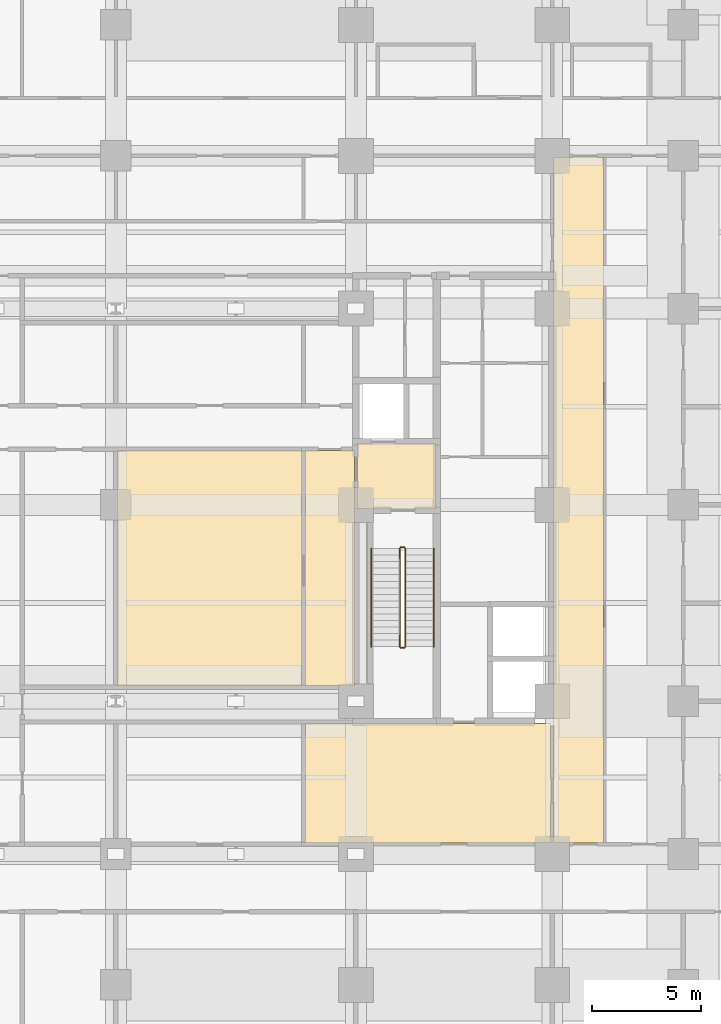
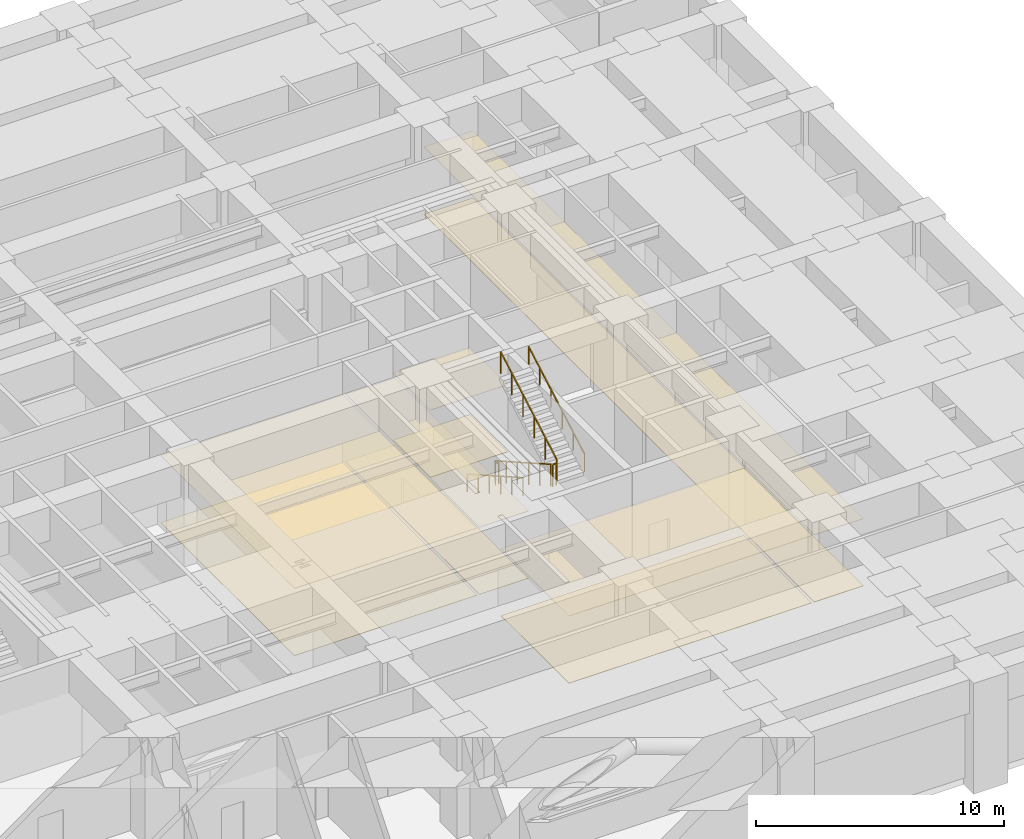
# One storey, part 20 of 22: 10 coverings, 6 railings.
"""IFC4 building model written with IfcOpenShell, lengths in metres."""

from ifc_helpers import new_model, si_unit, direction, frame, origin, origin_2d, place, context, subcontext, project, spatial, polyline, rectangle, outline, extrude, material, layer, layer_set, type_object, element, save


model = new_model("IFC4")

# Units and contexts
model_context = context("Model", 3, precision=1e-05, world=origin(), true_north=direction((0.0, 1.0)))
body_context = subcontext(model_context, "Body", "Model", "MODEL_VIEW")
ifc_project = project(units=[si_unit("LENGTHUNIT", "METRE"), si_unit("AREAUNIT", "SQUARE_METRE"), si_unit("VOLUMEUNIT", "CUBIC_METRE"), si_unit("PLANEANGLEUNIT", "RADIAN"), si_unit("MASSUNIT", "GRAM", prefix="KILO")], contexts=[model_context])

# Site, building, storey
site_placement = place(None, origin())
site = spatial("IfcSite", under=ifc_project, at=site_placement, CompositionType="ELEMENT")
building_placement = place(site_placement, origin())
building = spatial("IfcBuilding", under=site, at=building_placement, Name="Zulmaris Gate Convention Tower", CompositionType="ELEMENT")
storey_placement = place(building_placement, frame((0.0, 0.0, 21.760009765625)))
storey = spatial("IfcBuildingStorey", under=building, at=storey_placement, Name="L04", CompositionType="ELEMENT", Elevation=21.760009765625)

# Coverings
ifc_material_1 = material(Name="Mineral Fibre Acoustic Ceiling Tile")
ifc_layer_1 = layer(ifc_material_1, 0.02001953125, Name="Mineral Fibre Acoustic Ceiling Tile")
ifc_layer_set_1 = layer_set([ifc_layer_1], Name="Mineral Fibre Acoustic Ceiling Tile")
covering_type_1 = type_object("IfcCoveringType", Name="CLG-ACOUSTIC-600", PredefinedType="CEILING", material=ifc_layer_set_1)
covering_1_placement = place(storey_placement, frame((0.0, 0.0, 3.300048828125)))
element("IfcCovering", 1, at=covering_1_placement, inside=storey, type_object=covering_type_1, Name="CLG-L04-R08", PredefinedType="CEILING", context=body_context, shape_type="SweptSolid", body=[
    extrude(outline(polyline([(11.06005859375, -0.18994140625), (14.639892578125, -0.18994140625), (14.639892578125, 2.840087890625), (11.06005859375, 2.840087890625), (11.06005859375, -0.18994140625)])), origin(), (0.0, 0.0, 1.0), 0.02001953125),
])
covering_2_placement = place(storey_placement, frame((0.0, 0.0, 3.300048828125)))
element("IfcCovering", 2, at=covering_2_placement, inside=storey, type_object=covering_type_1, Name="CLG-L04-R38", PredefinedType="CEILING", context=body_context, shape_type="SweptSolid", body=[
    extrude(outline(polyline([(8.659912109375, -8.2900390625), (10.93994140625, -8.2900390625), (10.93994140625, 2.489990234375), (8.659912109375, 2.489990234375), (8.659912109375, -8.2900390625)])), origin(), (0.0, 0.0, 1.0), 0.02001953125),
])
covering_3_placement = place(storey_placement, frame((0.0, 0.0, 3.300048828125)))
element("IfcCovering", 3, at=covering_3_placement, inside=storey, type_object=covering_type_1, Name="CLG-L04-R48", PredefinedType="CEILING", context=body_context, shape_type="SweptSolid", body=[
    extrude(outline(polyline([(20.06005859375, -15.489990234375), (22.340087890625, -15.489990234375), (22.340087890625, 15.93994140625), (20.06005859375, 15.93994140625), (20.06005859375, -15.489990234375)])), origin(), (0.0, 0.0, 1.0), 0.02001953125),
])
covering_4_placement = place(storey_placement, frame((0.0, 0.0, 3.300048828125)))
element("IfcCovering", 4, at=covering_4_placement, inside=storey, type_object=covering_type_1, Name="CLG-L04-R51", PredefinedType="CEILING", context=body_context, shape_type="SweptSolid", body=[
    extrude(outline(polyline([(8.659912109375, -15.489990234375), (19.93994140625, -15.489990234375), (19.93994140625, -10.010009765625), (8.659912109375, -10.010009765625), (8.659912109375, -15.489990234375)])), origin(), (0.0, 0.0, 1.0), 0.02001953125),
])
covering_5_placement = place(storey_placement, frame((0.0, 0.0, 3.300048828125)))
element("IfcCovering", 5, at=covering_5_placement, inside=storey, type_object=covering_type_1, Name="CLG-L04-R102", PredefinedType="CEILING", context=body_context, shape_type="SweptSolid", body=[
    extrude(outline(polyline([(0.06005859375, -8.2900390625), (8.5400390625, -8.2900390625), (8.5400390625, 2.489990234375), (0.06005859375, 2.489990234375), (0.06005859375, -8.2900390625)])), origin(), (0.0, 0.0, 1.0), 0.02001953125),
])
ifc_material_2 = material(Name="Woven Acoustic Wool Carpet Tile")
ifc_layer_2 = layer(ifc_material_2, 0.02001953125, Name="Woven Acoustic Wool Carpet Tile")
ifc_layer_set_2 = layer_set([ifc_layer_2], Name="Woven Acoustic Wool Carpet Tile")
covering_type_2 = type_object("IfcCoveringType", Name="FLR-CARPET-12", PredefinedType="FLOORING", material=ifc_layer_set_2)
covering_6_placement = place(storey_placement, origin())
element("IfcCovering", 6, at=covering_6_placement, inside=storey, type_object=covering_type_2, Name="FLR-L04-R08", PredefinedType="FLOORING", context=body_context, shape_type="SweptSolid", body=[
    extrude(outline(polyline([(11.06005859375, -0.18994140625), (14.639892578125, -0.18994140625), (14.639892578125, 2.840087890625), (11.06005859375, 2.840087890625), (11.06005859375, -0.18994140625)])), origin(), (0.0, 0.0, 1.0), 0.02001953125),
])
covering_7_placement = place(storey_placement, origin())
element("IfcCovering", 7, at=covering_7_placement, inside=storey, type_object=covering_type_2, Name="FLR-L04-R38", PredefinedType="FLOORING", context=body_context, shape_type="SweptSolid", body=[
    extrude(outline(polyline([(8.659912109375, -8.2900390625), (10.93994140625, -8.2900390625), (10.93994140625, 2.489990234375), (8.659912109375, 2.489990234375), (8.659912109375, -8.2900390625)])), origin(), (0.0, 0.0, 1.0), 0.02001953125),
])
covering_8_placement = place(storey_placement, origin())
element("IfcCovering", 8, at=covering_8_placement, inside=storey, type_object=covering_type_2, Name="FLR-L04-R48", PredefinedType="FLOORING", context=body_context, shape_type="SweptSolid", body=[
    extrude(outline(polyline([(20.06005859375, -15.489990234375), (22.340087890625, -15.489990234375), (22.340087890625, 15.93994140625), (20.06005859375, 15.93994140625), (20.06005859375, -15.489990234375)])), origin(), (0.0, 0.0, 1.0), 0.02001953125),
])
covering_9_placement = place(storey_placement, origin())
element("IfcCovering", 9, at=covering_9_placement, inside=storey, type_object=covering_type_2, Name="FLR-L04-R51", PredefinedType="FLOORING", context=body_context, shape_type="SweptSolid", body=[
    extrude(outline(polyline([(8.659912109375, -15.489990234375), (19.93994140625, -15.489990234375), (19.93994140625, -10.010009765625), (8.659912109375, -10.010009765625), (8.659912109375, -15.489990234375)])), origin(), (0.0, 0.0, 1.0), 0.02001953125),
])
ifc_material_3 = material(Name="Polished Granite Terrazzo Tile", Category="masonry")
ifc_layer_3 = layer(ifc_material_3, 0.02001953125, Name="Polished Granite Terrazzo Tile")
ifc_layer_set_3 = layer_set([ifc_layer_3], Name="Polished Granite Terrazzo Tile")
covering_type_3 = type_object("IfcCoveringType", Name="FLR-TERRAZZO-30", PredefinedType="FLOORING", material=ifc_layer_set_3)
covering_10_placement = place(storey_placement, origin())
element("IfcCovering", 10, at=covering_10_placement, inside=storey, type_object=covering_type_3, Name="FLR-L04-R102", PredefinedType="FLOORING", context=body_context, shape_type="SweptSolid", body=[
    extrude(outline(polyline([(0.06005859375, -8.2900390625), (8.5400390625, -8.2900390625), (8.5400390625, 2.489990234375), (0.06005859375, 2.489990234375), (0.06005859375, -8.2900390625)])), origin(), (0.0, 0.0, 1.0), 0.02001953125),
])

# Railings
ifc_material_4 = material(Name="Painted Galvanised Steel", Category="steel")
railing_type_1 = type_object("IfcRailingType", Name="RL-STG-1150", PredefinedType="GUARDRAIL", material=ifc_material_4)
railing_1_placement = place(storey_placement, frame((13.010009765625, -2.0, 0.169921875)))
element("IfcRailing", 11, at=railing_1_placement, inside=storey, type_object=railing_type_1, Name="L04 ST-2 stair guard 1", PredefinedType="GUARDRAIL", context=body_context, shape_type="SweptSolid", body=[
    extrude(rectangle(XDim=0.048095703125, YDim=0.048095703125, at=origin_2d()), frame((0.0, 0.0, 1.076171875), z_axis=(0.0, -0.870018136573, 0.493019717692), x_axis=(1.0, 0.0, 0.0)), (0.0, 0.0, 1.0), 5.17236328125),
    extrude(rectangle(XDim=0.0419921875, YDim=0.0419921875, at=origin_2d()), origin(), (0.0, 0.0, 1.0), 1.052001953125),
    extrude(rectangle(XDim=0.0419921875, YDim=0.0419921875, at=origin_2d()), frame((0.0, -0.89990234375, 0.510009765625)), (0.0, 0.0, 1.0), 1.052001953125),
    extrude(rectangle(XDim=0.0419921875, YDim=0.0419921875, at=origin_2d()), frame((0.0, -1.800048828125, 1.02001953125)), (0.0, 0.0, 1.0), 1.052001953125),
    extrude(rectangle(XDim=0.0419921875, YDim=0.0419921875, at=origin_2d()), frame((0.0, -2.699951171875, 1.530029296875)), (0.0, 0.0, 1.0), 1.052001953125),
    extrude(rectangle(XDim=0.0419921875, YDim=0.0419921875, at=origin_2d()), frame((0.0, -3.60009765625, 2.0400390625)), (0.0, 0.0, 1.0), 1.052001953125),
    extrude(rectangle(XDim=0.0419921875, YDim=0.0419921875, at=origin_2d()), frame((0.0, -4.5, 2.550048828125)), (0.0, 0.0, 1.0), 1.052001953125),
])
railing_2_placement = place(storey_placement, frame((13.06005859375, -6.550048828125, 2.719970703125)))
element("IfcRailing", 12, at=railing_2_placement, inside=storey, type_object=railing_type_1, Name="L04 ST-2 stair guard 2", PredefinedType="GUARDRAIL", context=body_context, shape_type="SweptSolid", body=[
    extrude(rectangle(XDim=0.048095703125, YDim=0.048095703125, at=origin_2d()), frame((0.0, 0.0, 1.076171875), z_axis=(1.0, 0.0, 0.0), x_axis=(0.0, 1.0, 0.0)), (0.0, 0.0, 1.0), 0.159912109375),
    extrude(rectangle(XDim=0.0419921875, YDim=0.0419921875, at=origin_2d()), origin(), (0.0, 0.0, 1.0), 1.052001953125),
    extrude(rectangle(XDim=0.0419921875, YDim=0.0419921875, at=origin_2d()), frame((0.159912109375, 0.0, 0.0)), (0.0, 0.0, 1.0), 1.052001953125),
])
railing_3_placement = place(storey_placement, frame((13.27001953125, -6.5, 2.889892578125)))
element("IfcRailing", 13, at=railing_3_placement, inside=storey, type_object=railing_type_1, Name="L04 ST-2 stair guard 3", PredefinedType="GUARDRAIL", context=body_context, shape_type="SweptSolid", body=[
    extrude(rectangle(XDim=0.048095703125, YDim=0.048095703125, at=origin_2d()), frame((0.0, 0.0, 1.076171875), z_axis=(0.0, 0.870018136573, 0.493019717692), x_axis=(-1.0, 0.0, 0.0)), (0.0, 0.0, 1.0), 5.17236328125),
    extrude(rectangle(XDim=0.0419921875, YDim=0.0419921875, at=origin_2d()), origin(), (0.0, 0.0, 1.0), 1.052001953125),
    extrude(rectangle(XDim=0.0419921875, YDim=0.0419921875, at=origin_2d()), frame((0.0, 0.89990234375, 0.510009765625)), (0.0, 0.0, 1.0), 1.052001953125),
    extrude(rectangle(XDim=0.0419921875, YDim=0.0419921875, at=origin_2d()), frame((0.0, 1.800048828125, 1.02001953125)), (0.0, 0.0, 1.0), 1.052001953125),
    extrude(rectangle(XDim=0.0419921875, YDim=0.0419921875, at=origin_2d()), frame((0.0, 2.699951171875, 1.530029296875)), (0.0, 0.0, 1.0), 1.052001953125),
    extrude(rectangle(XDim=0.0419921875, YDim=0.0419921875, at=origin_2d()), frame((0.0, 3.60009765625, 2.0400390625)), (0.0, 0.0, 1.0), 1.052001953125),
    extrude(rectangle(XDim=0.0419921875, YDim=0.0419921875, at=origin_2d()), frame((0.0, 4.5, 2.550048828125)), (0.0, 0.0, 1.0), 1.052001953125),
])
railing_4_placement = place(storey_placement, frame((13.06005859375, -1.949951171875, 0.0)))
element("IfcRailing", 14, at=railing_4_placement, inside=storey, type_object=railing_type_1, Name="L04 ST-2 stair guard 4", PredefinedType="GUARDRAIL", context=body_context, shape_type="SweptSolid", body=[
    extrude(rectangle(XDim=0.048095703125, YDim=0.048095703125, at=origin_2d()), frame((0.0, 0.0, 1.076171875), z_axis=(1.0, 0.0, 0.0), x_axis=(0.0, 1.0, 0.0)), (0.0, 0.0, 1.0), 0.159912109375),
    extrude(rectangle(XDim=0.0419921875, YDim=0.0419921875, at=origin_2d()), origin(), (0.0, 0.0, 1.0), 1.052001953125),
    extrude(rectangle(XDim=0.0419921875, YDim=0.0419921875, at=origin_2d()), frame((0.159912109375, 0.0, 0.0)), (0.0, 0.0, 1.0), 1.052001953125),
])
ifc_material_5 = material(Name="Brushed Stainless Steel", Category="steel")
railing_type_2 = type_object("IfcRailingType", Name="RL-STH-900", PredefinedType="HANDRAIL", material=ifc_material_5)
railing_5_placement = place(storey_placement, frame((11.7099609375, -2.0, 0.169921875)))
element("IfcRailing", 15, at=railing_5_placement, inside=storey, type_object=railing_type_2, Name="L04 ST-2 stair handrail 1", PredefinedType="HANDRAIL", context=body_context, shape_type="SweptSolid", body=[
    extrude(rectangle(XDim=0.048095703125, YDim=0.048095703125, at=origin_2d()), frame((0.0, 0.0, 0.8759765625), z_axis=(0.0, -0.870018136573, 0.493019717692), x_axis=(1.0, 0.0, 0.0)), (0.0, 0.0, 1.0), 5.17236328125),
    extrude(rectangle(XDim=0.0419921875, YDim=0.0419921875, at=origin_2d()), origin(), (0.0, 0.0, 1.0), 0.851806640625),
    extrude(rectangle(XDim=0.0419921875, YDim=0.0419921875, at=origin_2d()), frame((0.0, -0.89990234375, 0.510009765625)), (0.0, 0.0, 1.0), 0.851806640625),
    extrude(rectangle(XDim=0.0419921875, YDim=0.0419921875, at=origin_2d()), frame((0.0, -1.800048828125, 1.02001953125)), (0.0, 0.0, 1.0), 0.851806640625),
    extrude(rectangle(XDim=0.0419921875, YDim=0.0419921875, at=origin_2d()), frame((0.0, -2.699951171875, 1.530029296875)), (0.0, 0.0, 1.0), 0.851806640625),
    extrude(rectangle(XDim=0.0419921875, YDim=0.0419921875, at=origin_2d()), frame((0.0, -3.60009765625, 2.0400390625)), (0.0, 0.0, 1.0), 0.851806640625),
    extrude(rectangle(XDim=0.0419921875, YDim=0.0419921875, at=origin_2d()), frame((0.0, -4.5, 2.550048828125)), (0.0, 0.0, 1.0), 0.851806640625),
])
railing_6_placement = place(storey_placement, frame((14.570068359375, -6.5, 2.889892578125)))
element("IfcRailing", 16, at=railing_6_placement, inside=storey, type_object=railing_type_2, Name="L04 ST-2 stair handrail 2", PredefinedType="HANDRAIL", context=body_context, shape_type="SweptSolid", body=[
    extrude(rectangle(XDim=0.048095703125, YDim=0.048095703125, at=origin_2d()), frame((0.0, 0.0, 0.8759765625), z_axis=(0.0, 0.870018136573, 0.493019717692), x_axis=(-1.0, 0.0, 0.0)), (0.0, 0.0, 1.0), 5.17236328125),
    extrude(rectangle(XDim=0.0419921875, YDim=0.0419921875, at=origin_2d()), origin(), (0.0, 0.0, 1.0), 0.851806640625),
    extrude(rectangle(XDim=0.0419921875, YDim=0.0419921875, at=origin_2d()), frame((0.0, 0.89990234375, 0.510009765625)), (0.0, 0.0, 1.0), 0.851806640625),
    extrude(rectangle(XDim=0.0419921875, YDim=0.0419921875, at=origin_2d()), frame((0.0, 1.800048828125, 1.02001953125)), (0.0, 0.0, 1.0), 0.851806640625),
    extrude(rectangle(XDim=0.0419921875, YDim=0.0419921875, at=origin_2d()), frame((0.0, 2.699951171875, 1.530029296875)), (0.0, 0.0, 1.0), 0.851806640625),
    extrude(rectangle(XDim=0.0419921875, YDim=0.0419921875, at=origin_2d()), frame((0.0, 3.60009765625, 2.0400390625)), (0.0, 0.0, 1.0), 0.851806640625),
    extrude(rectangle(XDim=0.0419921875, YDim=0.0419921875, at=origin_2d()), frame((0.0, 4.5, 2.550048828125)), (0.0, 0.0, 1.0), 0.851806640625),
])

save(model, "model.ifc")
